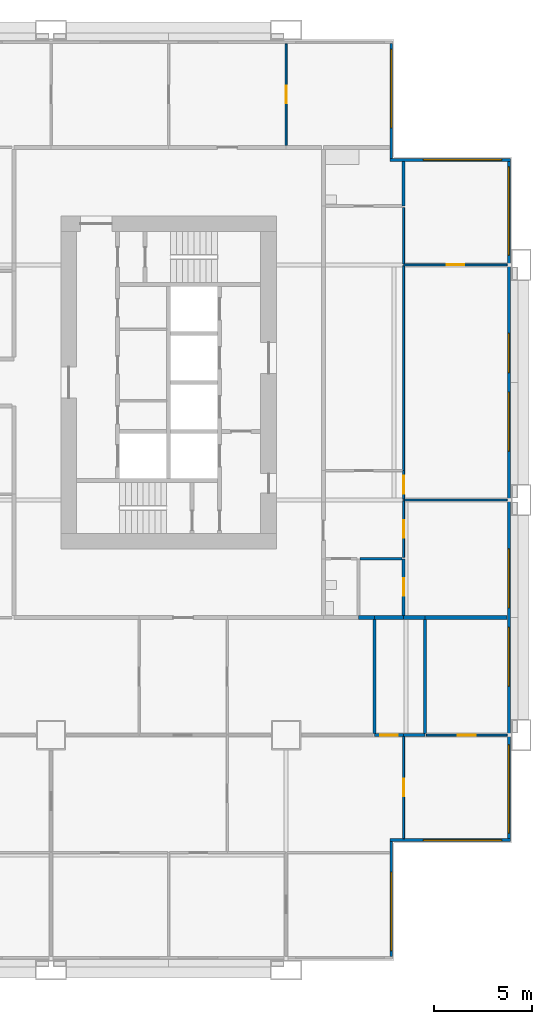
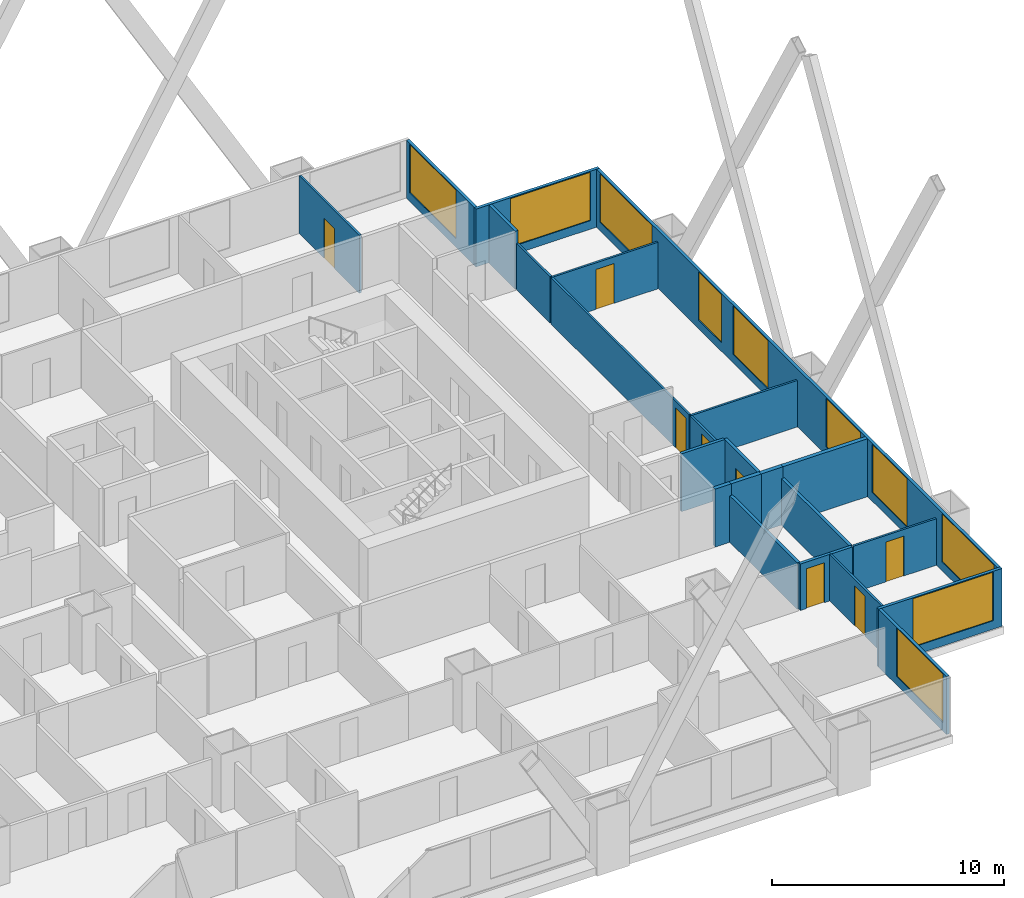
# One storey, part 10 of 13: 25 walls, 10 windows, 8 doors, 18 openings.
"""IFC4 building model written with IfcOpenShell, lengths in metres."""

from ifc_helpers import new_model, si_unit, direction, frame, frame_2d, origin, place, context, subcontext, project, spatial, rectangle, extrude, material, layer, layer_set, type_object, element, fill, save


model = new_model("IFC4")

# Units and contexts
model_context = context("Model", 3, precision=1e-05, world=origin(), true_north=direction((0.0, 1.0)))
body_context = subcontext(model_context, "Body", "Model", "MODEL_VIEW")
ifc_project = project(units=[si_unit("LENGTHUNIT", "METRE"), si_unit("AREAUNIT", "SQUARE_METRE"), si_unit("VOLUMEUNIT", "CUBIC_METRE"), si_unit("PLANEANGLEUNIT", "RADIAN"), si_unit("MASSUNIT", "GRAM", prefix="KILO")], contexts=[model_context])

# Site, building, storey
site_placement = place(None, origin())
site = spatial("IfcSite", under=ifc_project, at=site_placement, CompositionType="ELEMENT")
building_placement = place(site_placement, origin())
building = spatial("IfcBuilding", under=site, at=building_placement, Name="Kitamizu Gate Tower and Museum", CompositionType="ELEMENT")
storey_placement = place(building_placement, frame((0.0, 0.0, 71.39990234375)))
storey = spatial("IfcBuildingStorey", under=building, at=storey_placement, Name="L17", CompositionType="ELEMENT", Elevation=71.39990234375)

# Wall, opening, door
ifc_material_1 = material(Name="Gypsum board on galvanised stud")
ifc_layer_1 = layer(ifc_material_1, 0.10009765625)
ifc_layer_set_1 = layer_set([ifc_layer_1], Name="Gypsum board on galvanised stud")
wall_type_1 = type_object("IfcWallType", Name="Partition 100 NOT RATED", PredefinedType="PARTITIONING", material=ifc_layer_set_1)
wall_1_placement = place(storey_placement, frame((66.0, 6.719970703125, 0.0), z_axis=(0.0, 0.0, 1.0), x_axis=(0.0, 1.0, 0.0)))
wall_1 = element("IfcWall", 1, at=wall_1_placement, inside=storey, type_object=wall_type_1, Name="Partition L17-091", PredefinedType="PARTITIONING", context=body_context, shape_type="SweptSolid", body=[
    extrude(rectangle(XDim=5.205078125, YDim=0.10009765625, at=frame_2d((2.6025390625, 0.0))), origin(), (0.0, 0.0, 1.0), 2.4501953125),
])
opening_1_placement = place(wall_1_placement, frame((2.152587890625, 0.0, 0.0)))
opening_1 = element("IfcOpeningElement", 2, at=opening_1_placement, cuts=wall_1, Name="Opening L17-033", PredefinedType="OPENING", context=body_context, shape_type="SweptSolid", body=[
    extrude(rectangle(XDim=0.89990234375, YDim=2.10009765625, at=frame_2d((0.449951171875, 1.050048828125))), frame((0.0, 0.06005859375, 0.0), z_axis=(0.0, -1.0, 0.0), x_axis=(1.0, 0.0, 0.0)), (0.0, 0.0, 1.0), 0.1201171875),
])
ifc_material_2 = material(Name="Timber door set", Category="wood")
door_type_1 = type_object("IfcDoorType", Name="Room door 900", OperationType="NOTDEFINED", PredefinedType="DOOR", material=ifc_material_2)
door_1_placement = place(opening_1_placement, origin())
door_1 = element("IfcDoor", 3, at=door_1_placement, inside=storey, type_object=door_type_1, Name="Door L17-033", OperationType="SINGLE_SWING_LEFT", OverallHeight=2.10009765625, OverallWidth=0.89990234375, PredefinedType="DOOR", context=body_context, shape_type="SweptSolid", body=[
    extrude(rectangle(XDim=0.89990234375, YDim=2.10009765625, at=frame_2d((0.449951171875, 1.050048828125))), frame((0.0, 0.02490234375, 0.0), z_axis=(0.0, -1.0, 0.0), x_axis=(1.0, 0.0, 0.0)), (0.0, 0.0, 1.0), 0.050048828125),
])
fill(opening_1, door_1)

wall_2_placement = place(storey_placement, frame((71.280029296875, 12.0, 0.0), z_axis=(0.0, 0.0, 1.0), x_axis=(-1.0, 0.0, 0.0)))
wall_2 = element("IfcWall", 4, at=wall_2_placement, inside=storey, type_object=wall_type_1, Name="Partition L17-095", PredefinedType="PARTITIONING", context=body_context, shape_type="SweptSolid", body=[
    extrude(rectangle(XDim=4.129150390625, YDim=0.10009765625, at=frame_2d((2.064453125, 0.0))), origin(), (0.0, 0.0, 1.0), 2.4501953125),
])
opening_2_placement = place(wall_2_placement, frame((1.614501953125, 0.0, 0.0)))
opening_2 = element("IfcOpeningElement", 5, at=opening_2_placement, cuts=wall_2, Name="Opening L17-039", PredefinedType="OPENING", context=body_context, shape_type="SweptSolid", body=[
    extrude(rectangle(XDim=0.89990234375, YDim=2.10009765625, at=frame_2d((0.449951171875, 1.050048828125))), frame((0.0, 0.06005859375, 0.0), z_axis=(0.0, -1.0, 0.0), x_axis=(1.0, 0.0, 0.0)), (0.0, 0.0, 1.0), 0.1201171875),
])
door_2_placement = place(opening_2_placement, frame((0.89990234375, 0.0, 0.0), x_axis=(-1.0, 0.0, 0.0)))
door_2 = element("IfcDoor", 6, at=door_2_placement, inside=storey, type_object=door_type_1, Name="Door L17-039", OperationType="SINGLE_SWING_RIGHT", OverallHeight=2.10009765625, OverallWidth=0.89990234375, PredefinedType="DOOR", context=body_context, shape_type="SweptSolid", body=[
    extrude(rectangle(XDim=0.89990234375, YDim=2.10009765625, at=frame_2d((0.449951171875, 1.050048828125))), frame((0.0, 0.02490234375, 0.0), z_axis=(0.0, -1.0, 0.0), x_axis=(1.0, 0.0, 0.0)), (0.0, 0.0, 1.0), 0.050048828125),
])
fill(opening_2, door_2)

# Wall
wall_3_placement = place(storey_placement, frame((71.280029296875, 24.0, 0.0), z_axis=(0.0, 0.0, 1.0), x_axis=(-1.0, 0.0, 0.0)))
element("IfcWall", 7, at=wall_3_placement, inside=storey, type_object=wall_type_1, Name="Partition L17-120", PredefinedType="PARTITIONING", context=body_context, shape_type="SweptSolid", body=[
    extrude(rectangle(XDim=5.280029296875, YDim=0.10009765625, at=frame_2d((2.64013671875, 0.0))), origin(), (0.0, 0.0, 1.0), 2.4501953125),
])

# Wall, opening, door
wall_4_placement = place(storey_placement, frame((66.0, 23.949951171875, 0.0), z_axis=(0.0, 0.0, 1.0), x_axis=(0.0, -1.0, 0.0)))
wall_4 = element("IfcWall", 8, at=wall_4_placement, inside=storey, type_object=wall_type_1, Name="Partition L17-122", PredefinedType="PARTITIONING", context=body_context, shape_type="SweptSolid", body=[
    extrude(rectangle(XDim=2.875, YDim=0.10009765625, at=frame_2d((1.4375, 0.0))), origin(), (0.0, 0.0, 1.0), 2.4501953125),
])
opening_3_placement = place(wall_4_placement, frame((0.987548828125, 0.0, 0.0)))
opening_3 = element("IfcOpeningElement", 9, at=opening_3_placement, cuts=wall_4, Name="Opening L17-044", PredefinedType="OPENING", context=body_context, shape_type="SweptSolid", body=[
    extrude(rectangle(XDim=0.89990234375, YDim=2.10009765625, at=frame_2d((0.449951171875, 1.050048828125))), frame((0.0, 0.06005859375, 0.0), z_axis=(0.0, -1.0, 0.0), x_axis=(1.0, 0.0, 0.0)), (0.0, 0.0, 1.0), 0.1201171875),
])
door_3_placement = place(opening_3_placement, origin())
door_3 = element("IfcDoor", 10, at=door_3_placement, inside=storey, type_object=door_type_1, Name="Door L17-044", OperationType="SINGLE_SWING_RIGHT", OverallHeight=2.10009765625, OverallWidth=0.89990234375, PredefinedType="DOOR", context=body_context, shape_type="SweptSolid", body=[
    extrude(rectangle(XDim=0.89990234375, YDim=2.10009765625, at=frame_2d((0.449951171875, 1.050048828125))), frame((0.0, 0.02490234375, 0.0), z_axis=(0.0, -1.0, 0.0), x_axis=(1.0, 0.0, 0.0)), (0.0, 0.0, 1.0), 0.050048828125),
])
fill(opening_3, door_3)

wall_5_placement = place(storey_placement, frame((71.280029296875, 36.0, 0.0), z_axis=(0.0, 0.0, 1.0), x_axis=(-1.0, 0.0, 0.0)))
wall_5 = element("IfcWall", 11, at=wall_5_placement, inside=storey, type_object=wall_type_1, Name="Partition L17-123", PredefinedType="PARTITIONING", context=body_context, shape_type="SweptSolid", body=[
    extrude(rectangle(XDim=5.280029296875, YDim=0.10009765625, at=frame_2d((2.64013671875, 0.0))), origin(), (0.0, 0.0, 1.0), 2.4501953125),
])
opening_4_placement = place(wall_5_placement, frame((2.18994140625, 0.0, 0.0)))
opening_4 = element("IfcOpeningElement", 12, at=opening_4_placement, cuts=wall_5, Name="Opening L17-047", PredefinedType="OPENING", context=body_context, shape_type="SweptSolid", body=[
    extrude(rectangle(XDim=0.89990234375, YDim=2.10009765625, at=frame_2d((0.449951171875, 1.050048828125))), frame((0.0, 0.06005859375, 0.0), z_axis=(0.0, -1.0, 0.0), x_axis=(1.0, 0.0, 0.0)), (0.0, 0.0, 1.0), 0.1201171875),
])
door_4_placement = place(opening_4_placement, frame((0.89990234375, 0.0, 0.0), x_axis=(-1.0, 0.0, 0.0)))
door_4 = element("IfcDoor", 13, at=door_4_placement, inside=storey, type_object=door_type_1, Name="Door L17-047", OperationType="SINGLE_SWING_RIGHT", OverallHeight=2.10009765625, OverallWidth=0.89990234375, PredefinedType="DOOR", context=body_context, shape_type="SweptSolid", body=[
    extrude(rectangle(XDim=0.89990234375, YDim=2.10009765625, at=frame_2d((0.449951171875, 1.050048828125))), frame((0.0, 0.02490234375, 0.0), z_axis=(0.0, -1.0, 0.0), x_axis=(1.0, 0.0, 0.0)), (0.0, 0.0, 1.0), 0.050048828125),
])
fill(opening_4, door_4)

wall_6_placement = place(storey_placement, frame((66.0, 25.5, 0.0), z_axis=(0.0, 0.0, 1.0), x_axis=(0.0, -1.0, 0.0)))
wall_6 = element("IfcWall", 14, at=wall_6_placement, inside=storey, type_object=wall_type_1, Name="Partition L17-124", PredefinedType="PARTITIONING", context=body_context, shape_type="SweptSolid", body=[
    extrude(rectangle(XDim=1.449951171875, YDim=0.10009765625, at=frame_2d((0.72509765625, 0.0))), origin(), (0.0, 0.0, 1.0), 2.4501953125),
])
opening_5_placement = place(wall_6_placement, frame((0.27490234375, 0.0, 0.0)))
opening_5 = element("IfcOpeningElement", 15, at=opening_5_placement, cuts=wall_6, Name="Opening L17-045", PredefinedType="OPENING", context=body_context, shape_type="SweptSolid", body=[
    extrude(rectangle(XDim=0.89990234375, YDim=2.10009765625, at=frame_2d((0.449951171875, 1.050048828125))), frame((0.0, 0.06005859375, 0.0), z_axis=(0.0, -1.0, 0.0), x_axis=(1.0, 0.0, 0.0)), (0.0, 0.0, 1.0), 0.1201171875),
])
door_5_placement = place(opening_5_placement, origin())
door_5 = element("IfcDoor", 16, at=door_5_placement, inside=storey, type_object=door_type_1, Name="Door L17-045", OperationType="SINGLE_SWING_LEFT", OverallHeight=2.10009765625, OverallWidth=0.89990234375, PredefinedType="DOOR", context=body_context, shape_type="SweptSolid", body=[
    extrude(rectangle(XDim=0.89990234375, YDim=2.10009765625, at=frame_2d((0.449951171875, 1.050048828125))), frame((0.0, 0.02490234375, 0.0), z_axis=(0.0, -1.0, 0.0), x_axis=(1.0, 0.0, 0.0)), (0.0, 0.0, 1.0), 0.050048828125),
])
fill(opening_5, door_5)

# Walls
wall_7_placement = place(storey_placement, frame((66.0, 35.949951171875, 0.0), z_axis=(0.0, 0.0, 1.0), x_axis=(0.0, -1.0, 0.0)))
element("IfcWall", 17, at=wall_7_placement, inside=storey, type_object=wall_type_1, Name="Partition L17-125", PredefinedType="PARTITIONING", context=body_context, shape_type="SweptSolid", body=[
    extrude(rectangle(XDim=10.449951171875, YDim=0.10009765625, at=frame_2d((5.22509765625, 0.0))), origin(), (0.0, 0.0, 1.0), 2.4501953125),
])
wall_8_placement = place(storey_placement, frame((66.0, 38.925048828125, 0.0), z_axis=(0.0, 0.0, 1.0), x_axis=(0.0, -1.0, 0.0)))
element("IfcWall", 18, at=wall_8_placement, inside=storey, type_object=wall_type_1, Name="Partition L17-126", PredefinedType="PARTITIONING", context=body_context, shape_type="SweptSolid", body=[
    extrude(rectangle(XDim=2.875, YDim=0.10009765625, at=frame_2d((1.4375, 0.0))), origin(), (0.0, 0.0, 1.0), 2.4501953125),
])

# Wall, opening, door
wall_9_placement = place(storey_placement, frame((60.0, 42.10009765625, 0.0), z_axis=(0.0, 0.0, 1.0), x_axis=(0.0, 1.0, 0.0)))
wall_9 = element("IfcWall", 19, at=wall_9_placement, inside=storey, type_object=wall_type_1, Name="Partition L17-181", PredefinedType="PARTITIONING", context=body_context, shape_type="SweptSolid", body=[
    extrude(rectangle(XDim=5.179931640625, YDim=0.10009765625, at=frame_2d((2.58984375, 0.0))), origin(), (0.0, 0.0, 1.0), 3.050048828125),
])
opening_6_placement = place(wall_9_placement, frame((2.139892578125, 0.0, 0.0)))
opening_6 = element("IfcOpeningElement", 20, at=opening_6_placement, cuts=wall_9, Name="Opening L17-063", PredefinedType="OPENING", context=body_context, shape_type="SweptSolid", body=[
    extrude(rectangle(XDim=0.89990234375, YDim=2.10009765625, at=frame_2d((0.449951171875, 1.050048828125))), frame((0.0, 0.06005859375, 0.0), z_axis=(0.0, -1.0, 0.0), x_axis=(1.0, 0.0, 0.0)), (0.0, 0.0, 1.0), 0.1201171875),
])
door_6_placement = place(opening_6_placement, frame((0.89990234375, 0.0, 0.0), x_axis=(-1.0, 0.0, 0.0)))
door_6 = element("IfcDoor", 21, at=door_6_placement, inside=storey, type_object=door_type_1, Name="Door L17-063", OperationType="SINGLE_SWING_LEFT", OverallHeight=2.10009765625, OverallWidth=0.89990234375, PredefinedType="DOOR", context=body_context, shape_type="SweptSolid", body=[
    extrude(rectangle(XDim=0.89990234375, YDim=2.10009765625, at=frame_2d((0.449951171875, 1.050048828125))), frame((0.0, 0.02490234375, 0.0), z_axis=(0.0, -1.0, 0.0), x_axis=(1.0, 0.0, 0.0)), (0.0, 0.0, 1.0), 0.050048828125),
])
fill(opening_6, door_6)

ifc_material_3 = material(Name="Gypsum board on galvanised stud")
ifc_layer_2 = layer(ifc_material_3, 0.14990234375)
ifc_layer_set_2 = layer_set([ifc_layer_2], Name="Gypsum board on galvanised stud")
wall_type_2 = type_object("IfcWallType", Name="Partition 150", PredefinedType="PARTITIONING", material=ifc_layer_set_2)
wall_10_placement = place(storey_placement, frame((66.0, 12.0, 0.0), z_axis=(0.0, 0.0, 1.0), x_axis=(-1.0, 0.0, 0.0)))
wall_10 = element("IfcWall", 22, at=wall_10_placement, inside=storey, type_object=wall_type_2, Name="Partition L17-094", PredefinedType="PARTITIONING", context=body_context, shape_type="SweptSolid", body=[
    extrude(rectangle(XDim=1.5, YDim=0.14990234375, at=frame_2d((0.75, 0.0))), origin(), (0.0, 0.0, 1.0), 2.4501953125),
])
opening_7_placement = place(wall_10_placement, frame((0.300048828125, 0.0, 0.0)))
opening_7 = element("IfcOpeningElement", 23, at=opening_7_placement, cuts=wall_10, Name="Opening L17-040", PredefinedType="OPENING", context=body_context, shape_type="SweptSolid", body=[
    extrude(rectangle(XDim=0.89990234375, YDim=2.10009765625, at=frame_2d((0.449951171875, 1.050048828125))), frame((0.0, 0.0849609375, 0.0), z_axis=(0.0, -1.0, 0.0), x_axis=(1.0, 0.0, 0.0)), (0.0, 0.0, 1.0), 0.169921875),
])
ifc_material_4 = material(Name="Timber door set", Category="wood")
door_type_2 = type_object("IfcDoorType", Name="Bathroom door 900", OperationType="NOTDEFINED", PredefinedType="DOOR", material=ifc_material_4)
door_7_placement = place(opening_7_placement, frame((0.89990234375, 0.0, 0.0), x_axis=(-1.0, 0.0, 0.0)))
door_7 = element("IfcDoor", 24, at=door_7_placement, inside=storey, type_object=door_type_2, Name="Bathroom door L17-040", OperationType="SINGLE_SWING_RIGHT", OverallHeight=2.10009765625, OverallWidth=0.89990234375, PredefinedType="DOOR", context=body_context, shape_type="SweptSolid", body=[
    extrude(rectangle(XDim=0.89990234375, YDim=2.10009765625, at=frame_2d((0.449951171875, 1.050048828125))), frame((0.0, 0.02490234375, 0.0), z_axis=(0.0, -1.0, 0.0), x_axis=(1.0, 0.0, 0.0)), (0.0, 0.0, 1.0), 0.050048828125),
])
fill(opening_7, door_7)

# Walls
wall_11_placement = place(storey_placement, frame((67.075927734375, 12.0, 0.0), z_axis=(0.0, 0.0, 1.0), x_axis=(-1.0, 0.0, 0.0)))
element("IfcWall", 25, at=wall_11_placement, inside=storey, type_object=wall_type_2, Name="Partition L17-096", PredefinedType="PARTITIONING", context=body_context, shape_type="SweptSolid", body=[
    extrude(rectangle(XDim=1.075927734375, YDim=0.14990234375, at=frame_2d((0.5380859375, 0.0))), origin(), (0.0, 0.0, 1.0), 2.4501953125),
])
for number, where, z_axis, x_axis, name in (
    (26, (64.5, 12.074951171875, 0.0), (0.0, 0.0, 1.0), (0.0, 1.0, 0.0), "Partition L17-105"),
    (27, (67.075927734375, 17.89990234375, 0.0), (0.0, 0.0, 1.0), (0.0, -1.0, 0.0), "Partition L17-109"),
):
    element("IfcWall", number, at=place(storey_placement, frame(where, z_axis=z_axis, x_axis=x_axis)), inside=storey, type_object=wall_type_2, Name=name, PredefinedType="PARTITIONING", context=body_context, shape_type="SweptSolid", body=[
        extrude(rectangle(XDim=5.824951171875, YDim=0.14990234375, at=frame_2d((2.91259765625, 0.0))), origin(), (0.0, 0.0, 1.0), 2.4501953125),
    ])

# Wall, opening, door
wall_12_placement = place(storey_placement, frame((66.0, 21.0, 0.0), z_axis=(0.0, 0.0, 1.0), x_axis=(0.0, -1.0, 0.0)))
wall_12 = element("IfcWall", 28, at=wall_12_placement, inside=storey, type_object=wall_type_2, Name="Partition L17-121", PredefinedType="PARTITIONING", context=body_context, shape_type="SweptSolid", body=[
    extrude(rectangle(XDim=2.89990234375, YDim=0.14990234375, at=frame_2d((1.449951171875, 0.0))), origin(), (0.0, 0.0, 1.0), 3.050048828125),
])
opening_8_placement = place(wall_12_placement, frame((1.0, 0.0, 0.0)))
opening_8 = element("IfcOpeningElement", 29, at=opening_8_placement, cuts=wall_12, Name="Opening L17-049", PredefinedType="OPENING", context=body_context, shape_type="SweptSolid", body=[
    extrude(rectangle(XDim=0.89990234375, YDim=2.10009765625, at=frame_2d((0.449951171875, 1.050048828125))), frame((0.0, 0.0849609375, 0.0), z_axis=(0.0, -1.0, 0.0), x_axis=(1.0, 0.0, 0.0)), (0.0, 0.0, 1.0), 0.169921875),
])
door_8_placement = place(opening_8_placement, frame((0.89990234375, 0.0, 0.0), x_axis=(-1.0, 0.0, 0.0)))
door_8 = element("IfcDoor", 30, at=door_8_placement, inside=storey, type_object=door_type_2, Name="Bathroom door L17-049", OperationType="SINGLE_SWING_RIGHT", OverallHeight=2.10009765625, OverallWidth=0.89990234375, PredefinedType="DOOR", context=body_context, shape_type="SweptSolid", body=[
    extrude(rectangle(XDim=0.89990234375, YDim=2.10009765625, at=frame_2d((0.449951171875, 1.050048828125))), frame((0.0, 0.02490234375, 0.0), z_axis=(0.0, -1.0, 0.0), x_axis=(1.0, 0.0, 0.0)), (0.0, 0.0, 1.0), 0.050048828125),
])
fill(opening_8, door_8)

# Walls
wall_13_placement = place(storey_placement, frame((66.0, 41.280029296875, 0.0), z_axis=(0.0, 0.0, 1.0), x_axis=(0.0, -1.0, 0.0)))
element("IfcWall", 31, at=wall_13_placement, inside=storey, type_object=wall_type_2, Name="Partition L17-127", PredefinedType="PARTITIONING", context=body_context, shape_type="SweptSolid", body=[
    extrude(rectangle(XDim=2.280029296875, YDim=0.14990234375, at=frame_2d((1.14013671875, 0.0))), origin(), (0.0, 0.0, 1.0), 3.050048828125),
])
wall_14_placement = place(storey_placement, frame((65.925048828125, 21.0, 0.0), z_axis=(0.0, 0.0, 1.0), x_axis=(-1.0, 0.0, 0.0)))
element("IfcWall", 32, at=wall_14_placement, inside=storey, type_object=wall_type_2, Name="Partition L17-131", PredefinedType="PARTITIONING", context=body_context, shape_type="SweptSolid", body=[
    extrude(rectangle(XDim=2.150146484375, YDim=0.14990234375, at=frame_2d((1.0751953125, 0.0))), origin(), (0.0, 0.0, 1.0), 3.050048828125),
])
ifc_material_5 = material(Name="Gypsum board on galvanised stud")
ifc_layer_3 = layer(ifc_material_5, 0.199951171875)
ifc_layer_set_3 = layer_set([ifc_layer_3], Name="Gypsum board on galvanised stud")
wall_type_3 = type_object("IfcWallType", Name="Partition 200", PredefinedType="PARTITIONING", material=ifc_layer_set_3)
wall_15_placement = place(storey_placement, frame((64.5, 18.0, 0.0), z_axis=(0.0, 0.0, 1.0), x_axis=(-1.0, 0.0, 0.0)))
element("IfcWall", 33, at=wall_15_placement, inside=storey, type_object=wall_type_3, Name="Partition L17-107", PredefinedType="PARTITIONING", context=body_context, shape_type="SweptSolid", body=[
    extrude(rectangle(XDim=0.800048828125, YDim=0.199951171875, at=frame_2d((0.39990234375, 0.0))), origin(), (0.0, 0.0, 1.0), 3.050048828125),
])
wall_16_placement = place(storey_placement, frame((71.280029296875, 18.0, 0.0), z_axis=(0.0, 0.0, 1.0), x_axis=(-1.0, 0.0, 0.0)))
element("IfcWall", 34, at=wall_16_placement, inside=storey, type_object=wall_type_3, Name="Partition L17-110", PredefinedType="PARTITIONING", context=body_context, shape_type="SweptSolid", body=[
    extrude(rectangle(XDim=4.2041015625, YDim=0.199951171875, at=frame_2d((2.10205078125, 0.0))), origin(), (0.0, 0.0, 1.0), 3.050048828125),
])
wall_17_placement = place(storey_placement, frame((67.075927734375, 18.0, 0.0), z_axis=(0.0, 0.0, 1.0), x_axis=(-1.0, 0.0, 0.0)))
element("IfcWall", 35, at=wall_17_placement, inside=storey, type_object=wall_type_3, Name="Partition L17-111", PredefinedType="PARTITIONING", context=body_context, shape_type="SweptSolid", body=[
    extrude(rectangle(XDim=1.075927734375, YDim=0.199951171875, at=frame_2d((0.5380859375, 0.0))), origin(), (0.0, 0.0, 1.0), 3.050048828125),
])
wall_18_placement = place(storey_placement, frame((66.0, 18.0, 0.0), z_axis=(0.0, 0.0, 1.0), x_axis=(-1.0, 0.0, 0.0)))
element("IfcWall", 36, at=wall_18_placement, inside=storey, type_object=wall_type_3, Name="Partition L17-112", PredefinedType="PARTITIONING", context=body_context, shape_type="SweptSolid", body=[
    extrude(rectangle(XDim=1.5, YDim=0.199951171875, at=frame_2d((0.75, 0.0))), origin(), (0.0, 0.0, 1.0), 3.050048828125),
])

# Wall, opening, window
ifc_material_6 = material(Name="Bronze anodised aluminium frame with insulated spandrel and tinted glass", Category="aluminium")
ifc_layer_4 = layer(ifc_material_6, 0.14990234375)
ifc_layer_set_4 = layer_set([ifc_layer_4], Name="Bronze anodised aluminium frame with insulated spandrel and tinted glass")
wall_type_4 = type_object("IfcWallType", Name="WINDOW WALL 150 BRONZE FRAME EI 30", PredefinedType="ELEMENTEDWALL", material=ifc_layer_set_4)
wall_19_placement = place(storey_placement, frame((65.364990234375, 0.7099609375, 0.0), z_axis=(0.0, 0.0, 1.0), x_axis=(0.0, 1.0, 0.0)))
wall_19 = element("IfcWall", 37, at=wall_19_placement, inside=storey, type_object=wall_type_4, Name="Window wall east L17", PredefinedType="ELEMENTEDWALL", context=body_context, shape_type="SweptSolid", body=[
    extrude(rectangle(XDim=5.85009765625, YDim=0.14990234375, at=frame_2d((2.925048828125, 0.0))), origin(), (0.0, 0.0, 1.0), 3.050048828125),
])
opening_9_placement = place(wall_19_placement, frame((0.2900390625, 0.0, 0.449951171875)))
opening_9 = element("IfcOpeningElement", 38, at=opening_9_placement, cuts=wall_19, Name="Opening W16", PredefinedType="OPENING", context=body_context, shape_type="SweptSolid", body=[
    extrude(rectangle(XDim=4.0, YDim=2.550048828125, at=frame_2d((2.0, 1.27490234375))), frame((0.0, 0.0849609375, 0.0), z_axis=(0.0, -1.0, 0.0), x_axis=(1.0, 0.0, 0.0)), (0.0, 0.0, 1.0), 0.169921875),
])
ifc_material_7 = material(Name="Bronze anodised aluminium frame, tinted triple glazing", Category="aluminium")
window_type_1 = type_object("IfcWindowType", Name="WINDOW 4000 x 2550 SILL 450", PartitioningType="SINGLE_PANEL", PredefinedType="WINDOW", material=ifc_material_7)
window_1_placement = place(opening_9_placement, origin())
window_1 = element("IfcWindow", 39, at=window_1_placement, inside=storey, type_object=window_type_1, Name="Window W16 L17", OverallHeight=2.550048828125, OverallWidth=4.0, PartitioningType="SINGLE_PANEL", PredefinedType="WINDOW", context=body_context, shape_type="SweptSolid", body=[
    extrude(rectangle(XDim=4.0, YDim=2.550048828125, at=frame_2d((2.0, 1.27490234375))), frame((0.0, 0.030029296875, 0.0), z_axis=(0.0, -1.0, 0.0), x_axis=(1.0, 0.0, 0.0)), (0.0, 0.0, 1.0), 0.06005859375),
])
fill(opening_9, window_1)

wall_20_placement = place(storey_placement, frame((65.2900390625, 6.635009765625, 0.0), z_axis=(0.0, 0.0, 1.0), x_axis=(1.0, 0.0, 0.0)))
wall_20 = element("IfcWall", 40, at=wall_20_placement, inside=storey, type_object=wall_type_4, Name="Window wall south L17", PredefinedType="ELEMENTEDWALL", context=body_context, shape_type="SweptSolid", body=[
    extrude(rectangle(XDim=6.14990234375, YDim=0.14990234375, at=frame_2d((3.074951171875, 0.0))), origin(), (0.0, 0.0, 1.0), 3.050048828125),
])
opening_10_placement = place(wall_20_placement, frame((1.7099609375, 0.0, 0.449951171875)))
opening_10 = element("IfcOpeningElement", 41, at=opening_10_placement, cuts=wall_20, Name="Opening W16", PredefinedType="OPENING", context=body_context, shape_type="SweptSolid", body=[
    extrude(rectangle(XDim=4.0, YDim=2.550048828125, at=frame_2d((2.0, 1.27490234375))), frame((0.0, 0.0849609375, 0.0), z_axis=(0.0, -1.0, 0.0), x_axis=(1.0, 0.0, 0.0)), (0.0, 0.0, 1.0), 0.169921875),
])
window_2_placement = place(opening_10_placement, origin())
window_2 = element("IfcWindow", 42, at=window_2_placement, inside=storey, type_object=window_type_1, Name="Window W16 L17", OverallHeight=2.550048828125, OverallWidth=4.0, PartitioningType="SINGLE_PANEL", PredefinedType="WINDOW", context=body_context, shape_type="SweptSolid", body=[
    extrude(rectangle(XDim=4.0, YDim=2.550048828125, at=frame_2d((2.0, 1.27490234375))), frame((0.0, 0.030029296875, 0.0), z_axis=(0.0, -1.0, 0.0), x_axis=(1.0, 0.0, 0.0)), (0.0, 0.0, 1.0), 0.06005859375),
])
fill(opening_10, window_2)

# Wall, openings, windows
wall_21_placement = place(storey_placement, frame((71.364990234375, 6.7099609375, 0.0), z_axis=(0.0, 0.0, 1.0), x_axis=(0.0, 1.0, 0.0)))
wall_21 = element("IfcWall", 43, at=wall_21_placement, inside=storey, type_object=wall_type_4, Name="Window wall east L17", PredefinedType="ELEMENTEDWALL", context=body_context, shape_type="SweptSolid", body=[
    extrude(rectangle(XDim=34.580078125, YDim=0.14990234375, at=frame_2d((17.2900390625, 0.0))), origin(), (0.0, 0.0, 1.0), 3.050048828125),
])
opening_11_placement = place(wall_21_placement, frame((0.2900390625, 0.0, 0.449951171875)))
opening_11 = element("IfcOpeningElement", 44, at=opening_11_placement, cuts=wall_21, Name="Opening W15", PredefinedType="OPENING", context=body_context, shape_type="SweptSolid", body=[
    extrude(rectangle(XDim=4.5, YDim=2.550048828125, at=frame_2d((2.25, 1.27490234375))), frame((0.0, 0.0849609375, 0.0), z_axis=(0.0, -1.0, 0.0), x_axis=(1.0, 0.0, 0.0)), (0.0, 0.0, 1.0), 0.169921875),
])
opening_12_placement = place(wall_21_placement, frame((7.7900390625, 0.0, 0.449951171875)))
opening_12 = element("IfcOpeningElement", 45, at=opening_12_placement, cuts=wall_21, Name="Opening W33", PredefinedType="OPENING", context=body_context, shape_type="SweptSolid", body=[
    extrude(rectangle(XDim=3.0, YDim=2.550048828125, at=frame_2d((1.5, 1.27490234375))), frame((0.0, 0.0849609375, 0.0), z_axis=(0.0, -1.0, 0.0), x_axis=(1.0, 0.0, 0.0)), (0.0, 0.0, 1.0), 0.169921875),
])
opening_13_placement = place(wall_21_placement, frame((11.7900390625, 0.0, 0.449951171875)))
opening_13 = element("IfcOpeningElement", 46, at=opening_13_placement, cuts=wall_21, Name="Opening W33", PredefinedType="OPENING", context=body_context, shape_type="SweptSolid", body=[
    extrude(rectangle(XDim=3.0, YDim=2.550048828125, at=frame_2d((1.5, 1.27490234375))), frame((0.0, 0.0849609375, 0.0), z_axis=(0.0, -1.0, 0.0), x_axis=(1.0, 0.0, 0.0)), (0.0, 0.0, 1.0), 0.169921875),
])
opening_14_placement = place(wall_21_placement, frame((19.7900390625, 0.0, 0.449951171875)))
opening_14 = element("IfcOpeningElement", 47, at=opening_14_placement, cuts=wall_21, Name="Opening W33", PredefinedType="OPENING", context=body_context, shape_type="SweptSolid", body=[
    extrude(rectangle(XDim=3.0, YDim=2.550048828125, at=frame_2d((1.5, 1.27490234375))), frame((0.0, 0.0849609375, 0.0), z_axis=(0.0, -1.0, 0.0), x_axis=(1.0, 0.0, 0.0)), (0.0, 0.0, 1.0), 0.169921875),
])
opening_15_placement = place(wall_21_placement, frame((23.7900390625, 0.0, 0.449951171875)))
opening_15 = element("IfcOpeningElement", 48, at=opening_15_placement, cuts=wall_21, Name="Opening W2", PredefinedType="OPENING", context=body_context, shape_type="SweptSolid", body=[
    extrude(rectangle(XDim=2.0, YDim=2.550048828125, at=frame_2d((1.0, 1.27490234375))), frame((0.0, 0.0849609375, 0.0), z_axis=(0.0, -1.0, 0.0), x_axis=(1.0, 0.0, 0.0)), (0.0, 0.0, 1.0), 0.169921875),
])
opening_16_placement = place(wall_21_placement, frame((29.7900390625, 0.0, 0.449951171875)))
opening_16 = element("IfcOpeningElement", 49, at=opening_16_placement, cuts=wall_21, Name="Opening W15", PredefinedType="OPENING", context=body_context, shape_type="SweptSolid", body=[
    extrude(rectangle(XDim=4.5, YDim=2.550048828125, at=frame_2d((2.25, 1.27490234375))), frame((0.0, 0.0849609375, 0.0), z_axis=(0.0, -1.0, 0.0), x_axis=(1.0, 0.0, 0.0)), (0.0, 0.0, 1.0), 0.169921875),
])
ifc_material_8 = material(Name="Bronze anodised aluminium frame, tinted triple glazing", Category="aluminium")
window_type_2 = type_object("IfcWindowType", Name="WINDOW 2000 x 2550 SILL 450", PartitioningType="SINGLE_PANEL", PredefinedType="WINDOW", material=ifc_material_8)
window_3_placement = place(opening_15_placement, origin())
window_3 = element("IfcWindow", 50, at=window_3_placement, inside=storey, type_object=window_type_2, Name="Window W2 L17", OverallHeight=2.550048828125, OverallWidth=2.0, PartitioningType="SINGLE_PANEL", PredefinedType="WINDOW", context=body_context, shape_type="SweptSolid", body=[
    extrude(rectangle(XDim=2.0, YDim=2.550048828125, at=frame_2d((1.0, 1.27490234375))), frame((0.0, 0.030029296875, 0.0), z_axis=(0.0, -1.0, 0.0), x_axis=(1.0, 0.0, 0.0)), (0.0, 0.0, 1.0), 0.06005859375),
])
fill(opening_15, window_3)
ifc_material_9 = material(Name="Bronze anodised aluminium frame, tinted triple glazing", Category="aluminium")
window_type_3 = type_object("IfcWindowType", Name="WINDOW 3000 x 2550 SILL 450", PartitioningType="SINGLE_PANEL", PredefinedType="WINDOW", material=ifc_material_9)
window_4_placement = place(opening_12_placement, origin())
window_4 = element("IfcWindow", 51, at=window_4_placement, inside=storey, type_object=window_type_3, Name="Window W33 L17", OverallHeight=2.550048828125, OverallWidth=3.0, PartitioningType="SINGLE_PANEL", PredefinedType="WINDOW", context=body_context, shape_type="SweptSolid", body=[
    extrude(rectangle(XDim=3.0, YDim=2.550048828125, at=frame_2d((1.5, 1.27490234375))), frame((0.0, 0.030029296875, 0.0), z_axis=(0.0, -1.0, 0.0), x_axis=(1.0, 0.0, 0.0)), (0.0, 0.0, 1.0), 0.06005859375),
])
fill(opening_12, window_4)
window_5_placement = place(opening_13_placement, origin())
window_5 = element("IfcWindow", 52, at=window_5_placement, inside=storey, type_object=window_type_3, Name="Window W33 L17", OverallHeight=2.550048828125, OverallWidth=3.0, PartitioningType="SINGLE_PANEL", PredefinedType="WINDOW", context=body_context, shape_type="SweptSolid", body=[
    extrude(rectangle(XDim=3.0, YDim=2.550048828125, at=frame_2d((1.5, 1.27490234375))), frame((0.0, 0.030029296875, 0.0), z_axis=(0.0, -1.0, 0.0), x_axis=(1.0, 0.0, 0.0)), (0.0, 0.0, 1.0), 0.06005859375),
])
fill(opening_13, window_5)
window_6_placement = place(opening_14_placement, origin())
window_6 = element("IfcWindow", 53, at=window_6_placement, inside=storey, type_object=window_type_3, Name="Window W33 L17", OverallHeight=2.550048828125, OverallWidth=3.0, PartitioningType="SINGLE_PANEL", PredefinedType="WINDOW", context=body_context, shape_type="SweptSolid", body=[
    extrude(rectangle(XDim=3.0, YDim=2.550048828125, at=frame_2d((1.5, 1.27490234375))), frame((0.0, 0.030029296875, 0.0), z_axis=(0.0, -1.0, 0.0), x_axis=(1.0, 0.0, 0.0)), (0.0, 0.0, 1.0), 0.06005859375),
])
fill(opening_14, window_6)
ifc_material_10 = material(Name="Bronze anodised aluminium frame, tinted triple glazing", Category="aluminium")
window_type_4 = type_object("IfcWindowType", Name="WINDOW 4500 x 2550 SILL 450", PartitioningType="SINGLE_PANEL", PredefinedType="WINDOW", material=ifc_material_10)
window_7_placement = place(opening_11_placement, origin())
window_7 = element("IfcWindow", 54, at=window_7_placement, inside=storey, type_object=window_type_4, Name="Window W15 L17", OverallHeight=2.550048828125, OverallWidth=4.5, PartitioningType="SINGLE_PANEL", PredefinedType="WINDOW", context=body_context, shape_type="SweptSolid", body=[
    extrude(rectangle(XDim=4.5, YDim=2.550048828125, at=frame_2d((2.25, 1.27490234375))), frame((0.0, 0.030029296875, 0.0), z_axis=(0.0, -1.0, 0.0), x_axis=(1.0, 0.0, 0.0)), (0.0, 0.0, 1.0), 0.06005859375),
])
fill(opening_11, window_7)
window_8_placement = place(opening_16_placement, origin())
window_8 = element("IfcWindow", 55, at=window_8_placement, inside=storey, type_object=window_type_4, Name="Window W15 L17", OverallHeight=2.550048828125, OverallWidth=4.5, PartitioningType="SINGLE_PANEL", PredefinedType="WINDOW", context=body_context, shape_type="SweptSolid", body=[
    extrude(rectangle(XDim=4.5, YDim=2.550048828125, at=frame_2d((2.25, 1.27490234375))), frame((0.0, 0.030029296875, 0.0), z_axis=(0.0, -1.0, 0.0), x_axis=(1.0, 0.0, 0.0)), (0.0, 0.0, 1.0), 0.06005859375),
])
fill(opening_16, window_8)

# Wall, opening, window
wall_22_placement = place(storey_placement, frame((65.2900390625, 41.364990234375, 0.0), z_axis=(0.0, 0.0, 1.0), x_axis=(1.0, 0.0, 0.0)))
wall_22 = element("IfcWall", 56, at=wall_22_placement, inside=storey, type_object=wall_type_4, Name="Window wall north L17", PredefinedType="ELEMENTEDWALL", context=body_context, shape_type="SweptSolid", body=[
    extrude(rectangle(XDim=6.14990234375, YDim=0.14990234375, at=frame_2d((3.074951171875, 0.0))), origin(), (0.0, 0.0, 1.0), 3.050048828125),
])
opening_17_placement = place(wall_22_placement, frame((1.7099609375, 0.0, 0.449951171875)))
opening_17 = element("IfcOpeningElement", 57, at=opening_17_placement, cuts=wall_22, Name="Opening W16", PredefinedType="OPENING", context=body_context, shape_type="SweptSolid", body=[
    extrude(rectangle(XDim=4.0, YDim=2.550048828125, at=frame_2d((2.0, 1.27490234375))), frame((0.0, 0.0849609375, 0.0), z_axis=(0.0, -1.0, 0.0), x_axis=(1.0, 0.0, 0.0)), (0.0, 0.0, 1.0), 0.169921875),
])
window_9_placement = place(opening_17_placement, origin())
window_9 = element("IfcWindow", 58, at=window_9_placement, inside=storey, type_object=window_type_1, Name="Window W16 L17", OverallHeight=2.550048828125, OverallWidth=4.0, PartitioningType="SINGLE_PANEL", PredefinedType="WINDOW", context=body_context, shape_type="SweptSolid", body=[
    extrude(rectangle(XDim=4.0, YDim=2.550048828125, at=frame_2d((2.0, 1.27490234375))), frame((0.0, 0.030029296875, 0.0), z_axis=(0.0, -1.0, 0.0), x_axis=(1.0, 0.0, 0.0)), (0.0, 0.0, 1.0), 0.06005859375),
])
fill(opening_17, window_9)

wall_23_placement = place(storey_placement, frame((65.364990234375, 41.43994140625, 0.0), z_axis=(0.0, 0.0, 1.0), x_axis=(0.0, 1.0, 0.0)))
wall_23 = element("IfcWall", 59, at=wall_23_placement, inside=storey, type_object=wall_type_4, Name="Window wall east L17", PredefinedType="ELEMENTEDWALL", context=body_context, shape_type="SweptSolid", body=[
    extrude(rectangle(XDim=5.85009765625, YDim=0.14990234375, at=frame_2d((2.925048828125, 0.0))), origin(), (0.0, 0.0, 1.0), 3.050048828125),
])
opening_18_placement = place(wall_23_placement, frame((1.56005859375, 0.0, 0.449951171875)))
opening_18 = element("IfcOpeningElement", 60, at=opening_18_placement, cuts=wall_23, Name="Opening W16", PredefinedType="OPENING", context=body_context, shape_type="SweptSolid", body=[
    extrude(rectangle(XDim=4.0, YDim=2.550048828125, at=frame_2d((2.0, 1.27490234375))), frame((0.0, 0.0849609375, 0.0), z_axis=(0.0, -1.0, 0.0), x_axis=(1.0, 0.0, 0.0)), (0.0, 0.0, 1.0), 0.169921875),
])
window_10_placement = place(opening_18_placement, origin())
window_10 = element("IfcWindow", 61, at=window_10_placement, inside=storey, type_object=window_type_1, Name="Window W16 L17", OverallHeight=2.550048828125, OverallWidth=4.0, PartitioningType="SINGLE_PANEL", PredefinedType="WINDOW", context=body_context, shape_type="SweptSolid", body=[
    extrude(rectangle(XDim=4.0, YDim=2.550048828125, at=frame_2d((2.0, 1.27490234375))), frame((0.0, 0.030029296875, 0.0), z_axis=(0.0, -1.0, 0.0), x_axis=(1.0, 0.0, 0.0)), (0.0, 0.0, 1.0), 0.06005859375),
])
fill(opening_18, window_10)

save(model, "model.ifc")
